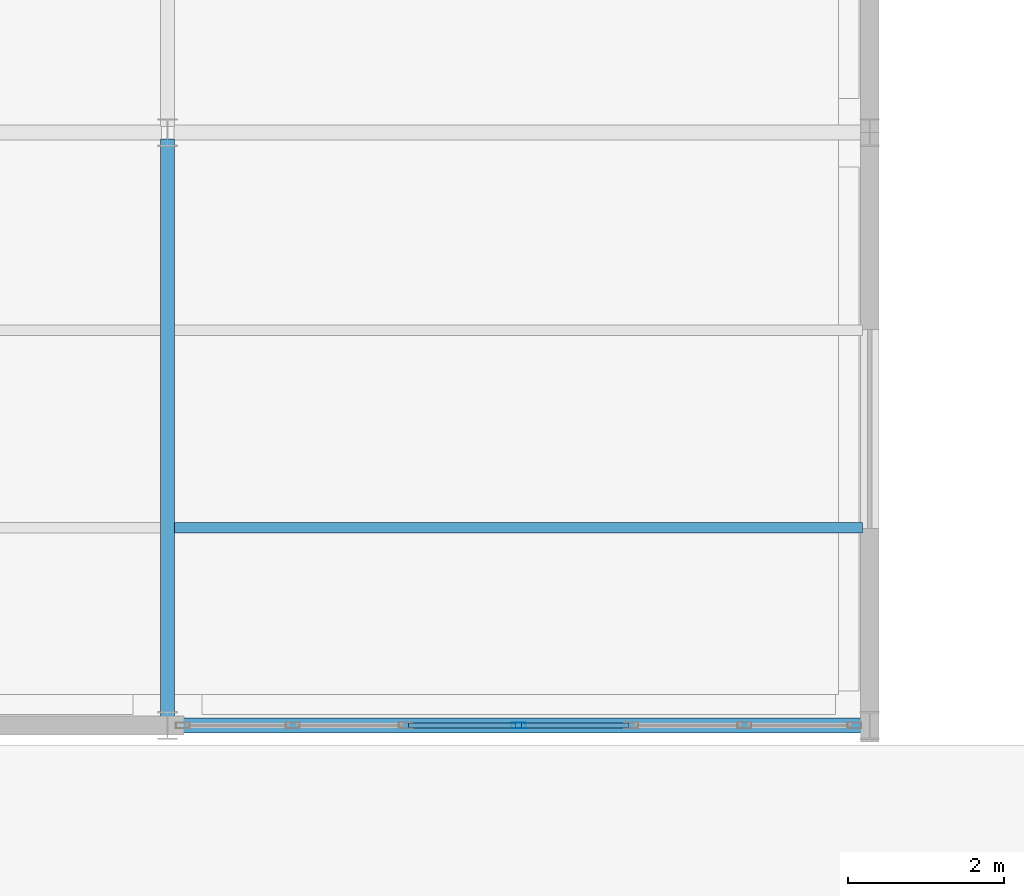
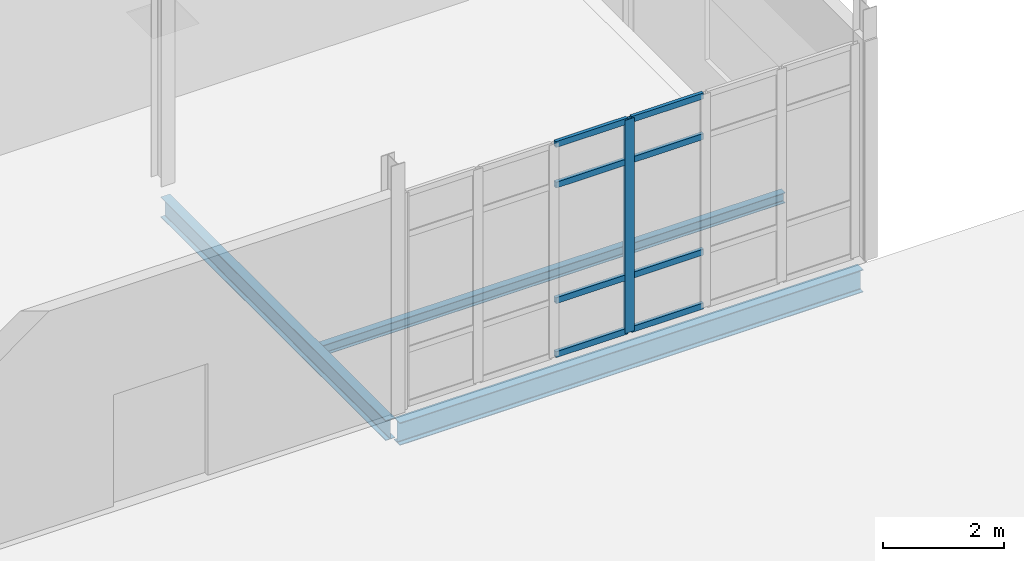
# One storey, part 81 of 161: 9 members, 3 beams, 1 element without a shape of its own.
"""IFC4 building model written with IfcOpenShell, lengths in metres."""

from ifc_helpers import new_model, si_unit, direction, frame, origin, origin_2d, place, context, subcontext, project, spatial, hollow_rectangle, i_section, extrude, material, material_profile, profile_set, type_object, element, aggregate, save


model = new_model("IFC4")

# Units and contexts
model_context = context("Model", 3, precision=1e-05, world=origin(), true_north=direction((0.0, 1.0)))
body_context = subcontext(model_context, "Body", "Model", "MODEL_VIEW")
ifc_project = project(units=[si_unit("LENGTHUNIT", "METRE"), si_unit("AREAUNIT", "SQUARE_METRE"), si_unit("VOLUMEUNIT", "CUBIC_METRE"), si_unit("PLANEANGLEUNIT", "RADIAN"), si_unit("MASSUNIT", "GRAM", prefix="KILO")], contexts=[model_context])

# Site, building, storey
site_placement = place(None, origin())
site = spatial("IfcSite", under=ifc_project, at=site_placement, CompositionType="ELEMENT")
building_placement = place(site_placement, origin())
building = spatial("IfcBuilding", under=site, at=building_placement, Name="Caisbarro Railhouse Central Library", CompositionType="ELEMENT")
storey_placement = place(building_placement, origin())
storey = spatial("IfcBuildingStorey", under=building, at=storey_placement, Name="L00", CompositionType="ELEMENT", Elevation=0.0)

# Beams
ifc_material_1 = material(Name="Steel ASTM A572 Grade 50", Category="steel")
ifc_material_profile_1 = material_profile(ifc_material_1, i_section(OverallWidth=0.177978515625, OverallDepth=0.406982421875, WebThickness=0.0078125, FlangeThickness=0.0126953125, FilletRadius=0.01611328125, at=origin_2d()), Name="W410X60.0")
ifc_profile_set_1 = profile_set([ifc_material_profile_1], Name="Steel ASTM A572 Grade 50")
beam_type_1 = type_object("IfcBeamType", Name="BM-G10", PredefinedType="BEAM", material=ifc_profile_set_1)
beam_1_placement = place(storey_placement, frame((90.0, 83.679931640625, -0.45361328125), z_axis=(0.0, 1.0, 0.0), x_axis=(-1.0, 0.0, 0.0)))
element("IfcBeam", 1, at=beam_1_placement, inside=storey, type_object=beam_type_1, Name="G10 beam L00 #645", PredefinedType="BEAM", context=body_context, shape_type="SweptSolid", body=[
    extrude(i_section(OverallWidth=0.177978515625, OverallDepth=0.406982421875, WebThickness=0.0078125, FlangeThickness=0.0126953125, FilletRadius=0.01611328125, at=origin_2d()), origin(), (0.0, 0.0, 1.0), 7.440185546875),
])
ifc_material_profile_2 = material_profile(ifc_material_1, i_section(OverallWidth=0.133056640625, OverallDepth=0.20703125, WebThickness=0.005859375, FlangeThickness=0.00830078125, FilletRadius=0.010009765625, at=origin_2d()), Name="W200X26.6")
ifc_profile_set_2 = profile_set([ifc_material_profile_2], Name="Steel ASTM A572 Grade 50")
beam_type_2 = type_object("IfcBeamType", Name="BM-J07", PredefinedType="JOIST", material=ifc_profile_set_2)
beam_2_placement = place(storey_placement, frame((90.089111328125, 86.13330078125, -0.353515625), z_axis=(1.0, 0.0, 0.0), x_axis=(0.0, 1.0, 0.0)))
element("IfcBeam", 2, at=beam_2_placement, inside=storey, type_object=beam_type_2, Name="J07 beam L00 #675", PredefinedType="JOIST", context=body_context, shape_type="SweptSolid", body=[
    extrude(i_section(OverallWidth=0.133056640625, OverallDepth=0.20703125, WebThickness=0.005859375, FlangeThickness=0.00830078125, FilletRadius=0.010009765625, at=origin_2d()), origin(), (0.0, 0.0, 1.0), 8.82177734375),
])
ifc_material_profile_3 = material_profile(ifc_material_1, i_section(OverallWidth=0.18994140625, OverallDepth=0.45703125, WebThickness=0.009033203125, FlangeThickness=0.014404296875, FilletRadius=0.01806640625, at=origin_2d()), Name="W460X74.0")
ifc_profile_set_3 = profile_set([ifc_material_profile_3], Name="Steel ASTM A572 Grade 50")
beam_type_3 = type_object("IfcBeamType", Name="BM-SP01", PredefinedType="SPANDREL", material=ifc_profile_set_3)
beam_3_placement = place(storey_placement, frame((90.080078125, 83.60009765625, -0.478515625), z_axis=(1.0, 0.0, 0.0), x_axis=(0.0, 1.0, 0.0)))
element("IfcBeam", 3, at=beam_3_placement, inside=storey, type_object=beam_type_3, Name="SP01 beam L00 #617", PredefinedType="SPANDREL", context=body_context, shape_type="SweptSolid", body=[
    extrude(i_section(OverallWidth=0.18994140625, OverallDepth=0.45703125, WebThickness=0.009033203125, FlangeThickness=0.014404296875, FilletRadius=0.01806640625, at=origin_2d()), origin(), (0.0, 0.0, 1.0), 8.83984375),
])

# Curtain wall, members
ifc_material_2 = material(Name="Anodised architectural aluminium", Category="aluminium")
curtain_wall_type = type_object("IfcCurtainWallType", Name="CW-CW02", PredefinedType="NOTDEFINED", material=ifc_material_2)
curtain_wall_placement = place(storey_placement, origin())
curtain_wall = element("IfcCurtainWall", 4, at=curtain_wall_placement, inside=storey, type_object=curtain_wall_type, Name="CW02 curtain wall L00 #170", PredefinedType="NOTDEFINED")
ifc_material_profile_4 = material_profile(ifc_material_2, hollow_rectangle(XDim=0.074951171875, YDim=0.179931640625, WallThickness=0.00439453125, at=origin_2d()), Name="ALU-MUL-75X180")
ifc_profile_set_4 = profile_set([ifc_material_profile_4], Name="Anodised architectural aluminium")
member_type_1 = type_object("IfcMemberType", Name="CWM-M01", PredefinedType="MULLION", material=ifc_profile_set_4)
member_1_placement = place(storey_placement, frame((94.5, 83.60009765625, 0.0), z_axis=(0.0, 0.0, 1.0), x_axis=(0.0, 1.0, 0.0)))
member_1 = element("IfcMember", 5, at=member_1_placement, type_object=member_type_1, Name="CW02 mullion 4", PredefinedType="MULLION", context=body_context, shape_type="SweptSolid", body=[
    extrude(hollow_rectangle(XDim=0.074951171875, YDim=0.179931640625, WallThickness=0.00439453125, at=origin_2d()), origin(), (0.0, 0.0, 1.0), 4.300048828125),
])
ifc_material_profile_5 = material_profile(ifc_material_2, hollow_rectangle(XDim=0.06494140625, YDim=0.1201171875, WallThickness=0.00341796875, at=origin_2d()), Name="ALU-TRN-65X120")
ifc_profile_set_5 = profile_set([ifc_material_profile_5], Name="Anodised architectural aluminium")
member_type_2 = type_object("IfcMemberType", Name="CWT-T02", PredefinedType="USERDEFINED", material=ifc_profile_set_5)
member_2_placement = place(storey_placement, frame((93.0908203125, 83.60009765625, 0.032470703125), z_axis=(1.0, 0.0, 0.0), x_axis=(0.0, 1.0, 0.0)))
member_2 = element("IfcMember", 6, at=member_2_placement, type_object=member_type_2, Name="CW02 transom 3.1", ObjectType="TRANSOM", PredefinedType="USERDEFINED", context=body_context, shape_type="SweptSolid", body=[
    extrude(hollow_rectangle(XDim=0.06494140625, YDim=0.1201171875, WallThickness=0.00341796875, at=origin_2d()), origin(), (0.0, 0.0, 1.0), 1.37158203125),
])
member_3_placement = place(storey_placement, frame((93.0908203125, 83.60009765625, 1.1201171875), z_axis=(1.0, 0.0, 0.0), x_axis=(0.0, 1.0, 0.0)))
member_3 = element("IfcMember", 7, at=member_3_placement, type_object=member_type_2, Name="CW02 transom 3.2", ObjectType="TRANSOM", PredefinedType="USERDEFINED", context=body_context, shape_type="SweptSolid", body=[
    extrude(hollow_rectangle(XDim=0.06494140625, YDim=0.1201171875, WallThickness=0.00341796875, at=origin_2d()), origin(), (0.0, 0.0, 1.0), 1.37158203125),
])
member_4_placement = place(storey_placement, frame((93.0908203125, 83.60009765625, 3.449951171875), z_axis=(1.0, 0.0, 0.0), x_axis=(0.0, 1.0, 0.0)))
member_4 = element("IfcMember", 8, at=member_4_placement, type_object=member_type_2, Name="CW02 transom 3.3", ObjectType="TRANSOM", PredefinedType="USERDEFINED", context=body_context, shape_type="SweptSolid", body=[
    extrude(hollow_rectangle(XDim=0.06494140625, YDim=0.1201171875, WallThickness=0.00341796875, at=origin_2d()), origin(), (0.0, 0.0, 1.0), 1.37158203125),
])
member_5_placement = place(storey_placement, frame((93.0908203125, 83.60009765625, 4.267578125), z_axis=(1.0, 0.0, 0.0), x_axis=(0.0, 1.0, 0.0)))
member_5 = element("IfcMember", 9, at=member_5_placement, type_object=member_type_2, Name="CW02 transom 3.4", ObjectType="TRANSOM", PredefinedType="USERDEFINED", context=body_context, shape_type="SweptSolid", body=[
    extrude(hollow_rectangle(XDim=0.06494140625, YDim=0.1201171875, WallThickness=0.00341796875, at=origin_2d()), origin(), (0.0, 0.0, 1.0), 1.37158203125),
])
member_6_placement = place(storey_placement, frame((94.53759765625, 83.60009765625, 0.032470703125), z_axis=(1.0, 0.0, 0.0), x_axis=(0.0, 1.0, 0.0)))
member_6 = element("IfcMember", 10, at=member_6_placement, type_object=member_type_2, Name="CW02 transom 4.1", ObjectType="TRANSOM", PredefinedType="USERDEFINED", context=body_context, shape_type="SweptSolid", body=[
    extrude(hollow_rectangle(XDim=0.06494140625, YDim=0.1201171875, WallThickness=0.00341796875, at=origin_2d()), origin(), (0.0, 0.0, 1.0), 1.37158203125),
])
member_7_placement = place(storey_placement, frame((94.53759765625, 83.60009765625, 1.1201171875), z_axis=(1.0, 0.0, 0.0), x_axis=(0.0, 1.0, 0.0)))
member_7 = element("IfcMember", 11, at=member_7_placement, type_object=member_type_2, Name="CW02 transom 4.2", ObjectType="TRANSOM", PredefinedType="USERDEFINED", context=body_context, shape_type="SweptSolid", body=[
    extrude(hollow_rectangle(XDim=0.06494140625, YDim=0.1201171875, WallThickness=0.00341796875, at=origin_2d()), origin(), (0.0, 0.0, 1.0), 1.37158203125),
])
member_8_placement = place(storey_placement, frame((94.53759765625, 83.60009765625, 3.449951171875), z_axis=(1.0, 0.0, 0.0), x_axis=(0.0, 1.0, 0.0)))
member_8 = element("IfcMember", 12, at=member_8_placement, type_object=member_type_2, Name="CW02 transom 4.3", ObjectType="TRANSOM", PredefinedType="USERDEFINED", context=body_context, shape_type="SweptSolid", body=[
    extrude(hollow_rectangle(XDim=0.06494140625, YDim=0.1201171875, WallThickness=0.00341796875, at=origin_2d()), origin(), (0.0, 0.0, 1.0), 1.37158203125),
])
member_9_placement = place(storey_placement, frame((94.53759765625, 83.60009765625, 4.267578125), z_axis=(1.0, 0.0, 0.0), x_axis=(0.0, 1.0, 0.0)))
member_9 = element("IfcMember", 13, at=member_9_placement, type_object=member_type_2, Name="CW02 transom 4.4", ObjectType="TRANSOM", PredefinedType="USERDEFINED", context=body_context, shape_type="SweptSolid", body=[
    extrude(hollow_rectangle(XDim=0.06494140625, YDim=0.1201171875, WallThickness=0.00341796875, at=origin_2d()), origin(), (0.0, 0.0, 1.0), 1.37158203125),
])
aggregate(curtain_wall, [member_1, member_2, member_3, member_4, member_5, member_6, member_7, member_8, member_9])

save(model, "model.ifc")
